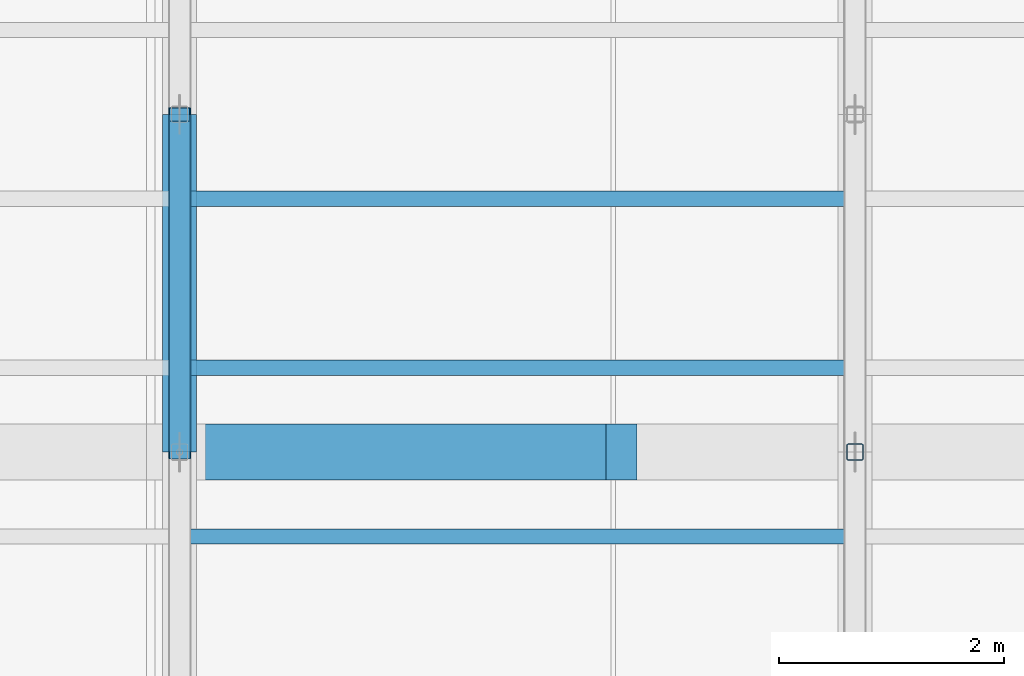
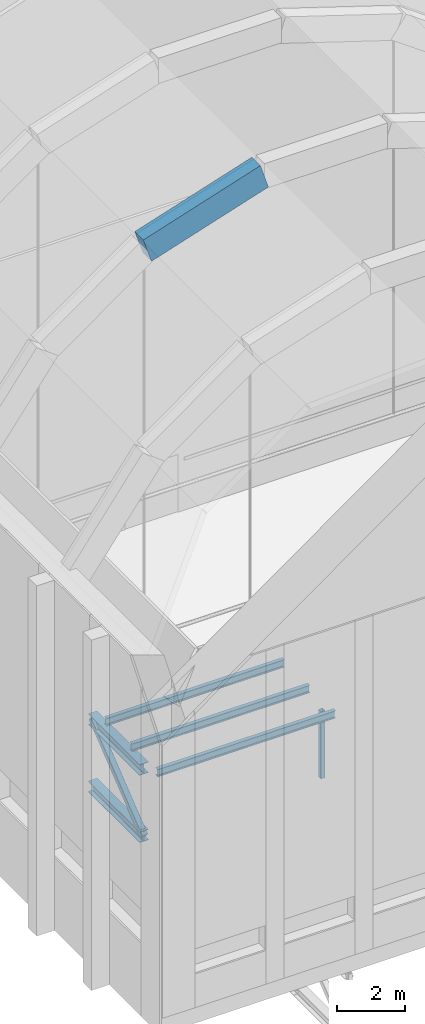
# One storey, part 17 of 55: 4 beams, 4 members.
"""IFC4 building model written with IfcOpenShell, lengths in metres."""

from ifc_helpers import new_model, si_unit, direction, frame, origin, origin_2d, place, context, subcontext, project, spatial, rectangle, hollow_rectangle, i_section, extrude, material, material_profile, profile_set, type_object, element, save


model = new_model("IFC4")

# Units and contexts
model_context = context("Model", 3, precision=1e-05, world=origin(), true_north=direction((0.0, 1.0)))
body_context = subcontext(model_context, "Body", "Model", "MODEL_VIEW")
ifc_project = project(units=[si_unit("LENGTHUNIT", "METRE"), si_unit("AREAUNIT", "SQUARE_METRE"), si_unit("VOLUMEUNIT", "CUBIC_METRE"), si_unit("PLANEANGLEUNIT", "RADIAN"), si_unit("MASSUNIT", "GRAM", prefix="KILO")], contexts=[model_context])

# Site, building, storey
site_placement = place(None, origin())
site = spatial("IfcSite", under=ifc_project, at=site_placement, CompositionType="ELEMENT")
building_placement = place(site_placement, origin())
building = spatial("IfcBuilding", under=site, at=building_placement, Name="Lunette Opera House", CompositionType="ELEMENT")
storey_placement = place(building_placement, frame((0.0, 0.0, 34.0)))
storey = spatial("IfcBuildingStorey", under=building, at=storey_placement, Name="L06", CompositionType="ELEMENT", Elevation=34.0)

# Beam
ifc_material_1 = material(Name="Concrete C40/50", Category="concrete")
ifc_material_profile_1 = material_profile(ifc_material_1, rectangle(XDim=0.5, YDim=0.89990234375, at=origin_2d()), Name="ARCH BEAM 500X900")
ifc_profile_set_1 = profile_set([ifc_material_profile_1], Name="Concrete C40/50")
beam_type_1 = type_object("IfcBeamType", Name="ARCH BEAM 500X900", PredefinedType="BEAM", material=ifc_profile_set_1)
beam_placement = place(storey_placement, frame((89.968994140625, 108.0, 17.98193359375), z_axis=(0.952116578893, 0.0, 0.305735212556), x_axis=(0.0, 1.0, 0.0)))
element("IfcBeam", 1, at=beam_placement, inside=storey, type_object=beam_type_1, Name="beam-ST-L06-EAT3-3", PredefinedType="BEAM", context=body_context, shape_type="SweptSolid", body=[
    extrude(rectangle(XDim=0.5, YDim=0.89990234375, at=origin_2d()), origin(), (0.0, 0.0, 1.0), 4.154052734375),
])

# Members
ifc_material_2 = material(Name="Steel S355", Category="steel")
ifc_material_profile_2 = material_profile(ifc_material_2, i_section(OverallWidth=0.300048828125, OverallDepth=0.389892578125, WebThickness=0.010986328125, FlangeThickness=0.01904296875, FilletRadius=0.027099609375, at=origin_2d()), Name="HEA 400")
ifc_profile_set_2 = profile_set([ifc_material_profile_2], Name="Steel S355")
member_type_1 = type_object("IfcMemberType", Name="CHORD HEA 400", PredefinedType="CHORD", material=ifc_profile_set_2)
for number, where, z_axis, x_axis, name in (
    (2, (90.0, 108.0, -0.6650390625), (0.0, 1.0, 0.0), (-1.0, 0.0, 0.0), "mem-ST-L06-ST-TR01-TC5"),
    (3, (90.0, 108.0, -3.06494140625), (0.0, 1.0, 0.0), (-1.0, 0.0, 0.0), "mem-ST-L06-ST-TR01-BC5"),
):
    element("IfcMember", number, at=place(storey_placement, frame(where, z_axis=z_axis, x_axis=x_axis)), inside=storey, type_object=member_type_1, Name=name, PredefinedType="CHORD", context=body_context, shape_type="SweptSolid", body=[
        extrude(i_section(OverallWidth=0.300048828125, OverallDepth=0.389892578125, WebThickness=0.010986328125, FlangeThickness=0.01904296875, FilletRadius=0.027099609375, at=origin_2d()), origin(), (0.0, 0.0, 1.0), 3.0),
    ])
ifc_material_3 = material(Name="Steel S355", Category="steel")
ifc_material_profile_3 = material_profile(ifc_material_3, hollow_rectangle(XDim=0.199951171875, YDim=0.199951171875, WallThickness=0.008056640625, InnerFilletRadius=0.008056640625, OuterFilletRadius=0.01611328125, at=origin_2d()), Name="RHS 200X200X8")
ifc_profile_set_3 = profile_set([ifc_material_profile_3], Name="Steel S355")
member_type_2 = type_object("IfcMemberType", Name="DIAGONAL RHS 200X200X8", PredefinedType="BRACE", material=ifc_profile_set_3)
member_1_placement = place(storey_placement, frame((90.0, 108.0, -3.06494140625), z_axis=(0.0, 0.780881208953, 0.624679547852), x_axis=(-1.0, 0.0, 0.0)))
element("IfcMember", 4, at=member_1_placement, inside=storey, type_object=member_type_2, Name="mem-ST-L06-ST-TR01-TD5", PredefinedType="BRACE", context=body_context, shape_type="SweptSolid", body=[
    extrude(hollow_rectangle(XDim=0.199951171875, YDim=0.199951171875, WallThickness=0.008056640625, InnerFilletRadius=0.008056640625, OuterFilletRadius=0.01611328125, at=origin_2d()), origin(), (0.0, 0.0, 1.0), 3.841796875),
])

# Beams
ifc_material_4 = material(Name="Steel S355", Category="steel")
ifc_material_profile_4 = material_profile(ifc_material_4, i_section(OverallWidth=0.135009765625, OverallDepth=0.27001953125, WebThickness=0.006591796875, FlangeThickness=0.01025390625, FilletRadius=0.014892578125, at=origin_2d()), Name="IPE 270")
ifc_profile_set_4 = profile_set([ifc_material_profile_4], Name="Steel S355")
beam_type_2 = type_object("IfcBeamType", Name="STEEL BEAM IPE 270", PredefinedType="BEAM", material=ifc_profile_set_4)
for number, where, z_axis, x_axis, name in (
    (5, (90.0, 107.25, -0.3349609375), (1.0, 0.0, 0.0), (0.0, 1.0, 0.0), "beam-ST-L06-GRID-10725-2"),
    (6, (90.0, 108.75, -0.3349609375), (1.0, 0.0, 0.0), (0.0, 1.0, 0.0), "beam-ST-L06-GRID-10875-2"),
    (7, (90.0, 110.25, -0.3349609375), (1.0, 0.0, 0.0), (0.0, 1.0, 0.0), "beam-ST-L06-GRID-11025-2"),
):
    element("IfcBeam", number, at=place(storey_placement, frame(where, z_axis=z_axis, x_axis=x_axis)), inside=storey, type_object=beam_type_2, Name=name, PredefinedType="BEAM", context=body_context, shape_type="SweptSolid", body=[
        extrude(i_section(OverallWidth=0.135009765625, OverallDepth=0.27001953125, WebThickness=0.006591796875, FlangeThickness=0.01025390625, FilletRadius=0.014892578125, at=origin_2d()), origin(), (0.0, 0.0, 1.0), 6.0),
    ])

# Member
ifc_material_5 = material(Name="Steel S355", Category="steel")
ifc_material_profile_5 = material_profile(ifc_material_5, hollow_rectangle(XDim=0.14990234375, YDim=0.14990234375, WallThickness=0.008056640625, InnerFilletRadius=0.008056640625, OuterFilletRadius=0.01611328125, at=origin_2d()), Name="RHS 150X150X8")
ifc_profile_set_5 = profile_set([ifc_material_profile_5], Name="Steel S355")
member_type_3 = type_object("IfcMemberType", Name="VERTICAL RHS 150X150X8", PredefinedType="POST", material=ifc_profile_set_5)
member_2_placement = place(storey_placement, frame((96.0, 108.0, -3.06494140625), z_axis=(0.0, 0.0, 1.0), x_axis=(1.0, 0.0, 0.0)))
element("IfcMember", 8, at=member_2_placement, inside=storey, type_object=member_type_3, Name="mem-ST-L06-ST-TR02-TV5", PredefinedType="POST", context=body_context, shape_type="SweptSolid", body=[
    extrude(hollow_rectangle(XDim=0.14990234375, YDim=0.14990234375, WallThickness=0.008056640625, InnerFilletRadius=0.008056640625, OuterFilletRadius=0.01611328125, at=origin_2d()), origin(), (0.0, 0.0, 1.0), 2.39990234375),
])

save(model, "model.ifc")
